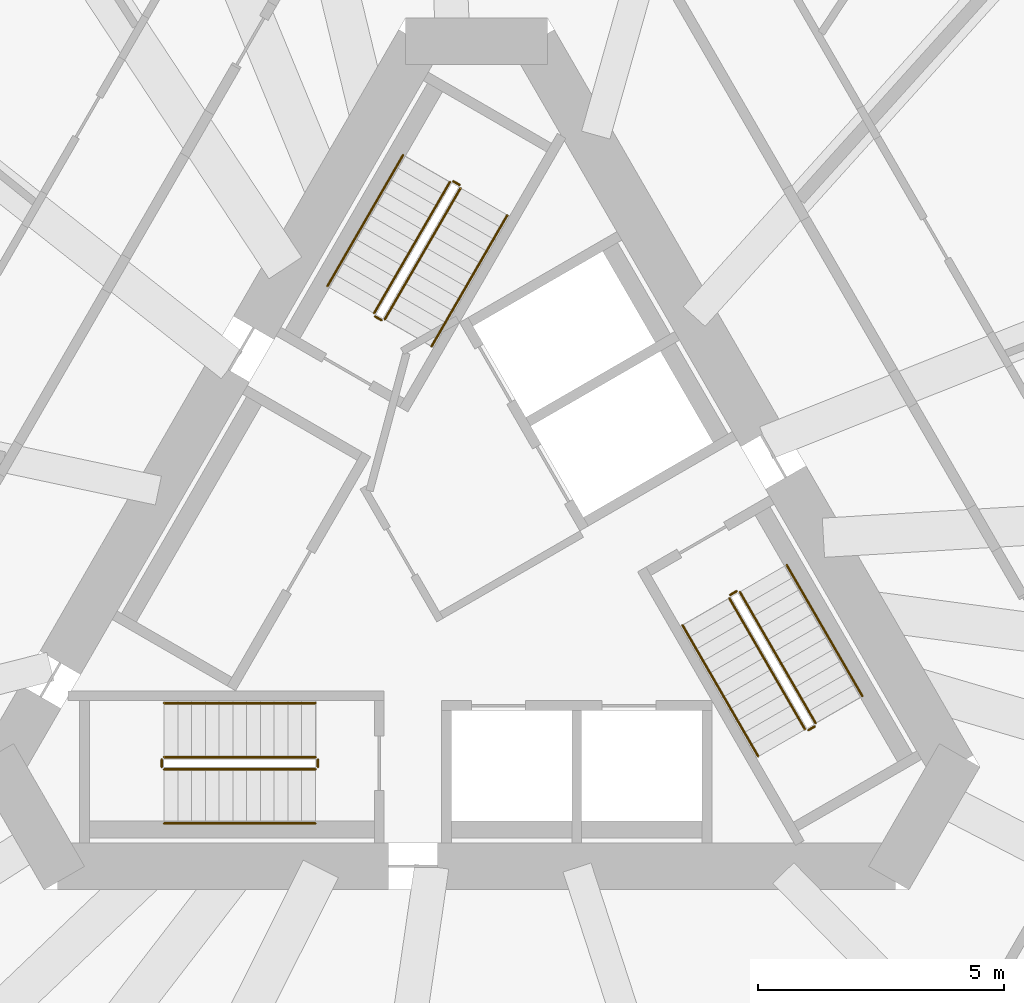
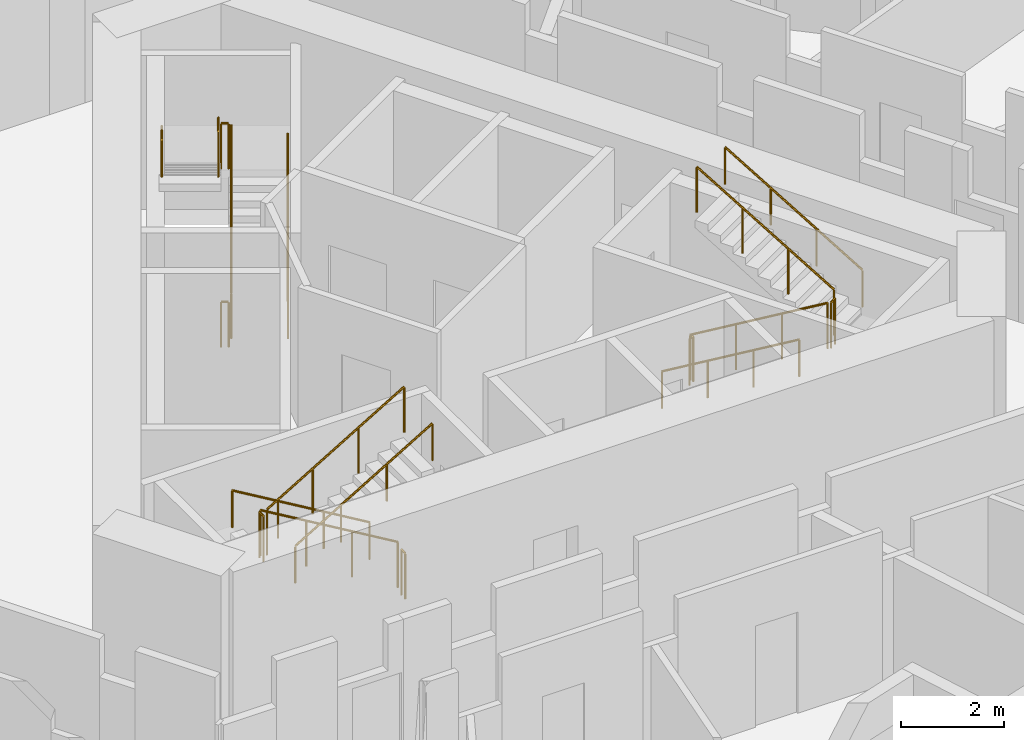
# One storey, part 11 of 12: 18 railings.
"""IFC4 building model written with IfcOpenShell, lengths in metres."""

from ifc_helpers import new_model, si_unit, direction, frame, origin, origin_2d, place, context, subcontext, project, spatial, circle, extrude, material, type_object, element, save


model = new_model("IFC4")

# Units and contexts
model_context = context("Model", 3, precision=1e-05, world=origin(), true_north=direction((0.0, 1.0)))
body_context = subcontext(model_context, "Body", "Model", "MODEL_VIEW")
ifc_project = project(units=[si_unit("LENGTHUNIT", "METRE"), si_unit("AREAUNIT", "SQUARE_METRE"), si_unit("VOLUMEUNIT", "CUBIC_METRE"), si_unit("PLANEANGLEUNIT", "RADIAN"), si_unit("MASSUNIT", "GRAM", prefix="KILO")], contexts=[model_context])

# Site, building, storey
site_placement = place(None, origin())
site = spatial("IfcSite", under=ifc_project, at=site_placement, CompositionType="ELEMENT")
building_placement = place(site_placement, origin())
building = spatial("IfcBuilding", under=site, at=building_placement, Name="Tramontana Tower", CompositionType="ELEMENT")
storey_placement = place(building_placement, frame((0.0, 0.0, 92.39990234375)))
storey = spatial("IfcBuildingStorey", under=building, at=storey_placement, Name="L20", CompositionType="ELEMENT", Elevation=92.39990234375)

# Railings
ifc_material_1 = material(Name="Painted steel", Category="steel")
railing_type_1 = type_object("IfcRailingType", Name="STAIR GUARD 1100", PredefinedType="GUARDRAIL", material=ifc_material_1)
railing_1_placement = place(storey_placement, frame((-1.867431640625, 4.865478515625, 0.166748046875)))
element("IfcRailing", 1, at=railing_1_placement, inside=storey, type_object=railing_type_1, Name="L20 ST1 stair guard 1", PredefinedType="GUARDRAIL", context=body_context, shape_type="SweptSolid", body=[
    extrude(circle(Radius=0.02392578125, at=origin_2d()), frame((0.0, 0.0, 1.076171875), z_axis=(0.429649414936, 0.744189839504, 0.511451721109), x_axis=(-0.866029832698, 0.499992328818, 0.0)), (0.0, 0.0, 1.0), 3.58447265625),
    extrude(circle(Radius=0.02099609375, at=origin_2d()), origin(), (0.0, 0.0, 1.0), 1.052001953125),
    extrude(circle(Radius=0.02099609375, at=origin_2d()), frame((0.513427734375, 0.88916015625, 0.611083984375)), (0.0, 0.0, 1.0), 1.052001953125),
    extrude(circle(Radius=0.02099609375, at=origin_2d()), frame((1.026611328125, 1.7783203125, 1.22216796875)), (0.0, 0.0, 1.0), 1.052001953125),
    extrude(circle(Radius=0.02099609375, at=origin_2d()), frame((1.5400390625, 2.66748046875, 1.833251953125)), (0.0, 0.0, 1.0), 1.052001953125),
])
railing_2_placement = place(storey_placement, frame((-0.5439453125, 7.657958984375, 2.166748046875)))
element("IfcRailing", 2, at=railing_2_placement, inside=storey, type_object=railing_type_1, Name="L20 ST1 stair guard 2", PredefinedType="GUARDRAIL", context=body_context, shape_type="SweptSolid", body=[
    extrude(circle(Radius=0.02392578125, at=origin_2d()), frame((0.0, 0.0, 1.076171875), z_axis=(-0.429649414936, -0.744189839504, 0.511451721109), x_axis=(0.866029832698, -0.499992328818, 0.0)), (0.0, 0.0, 1.0), 3.58447265625),
    extrude(circle(Radius=0.02099609375, at=origin_2d()), origin(), (0.0, 0.0, 1.0), 1.052001953125),
    extrude(circle(Radius=0.02099609375, at=origin_2d()), frame((-0.513427734375, -0.88916015625, 0.611083984375)), (0.0, 0.0, 1.0), 1.052001953125),
    extrude(circle(Radius=0.02099609375, at=origin_2d()), frame((-1.026611328125, -1.7783203125, 1.22216796875)), (0.0, 0.0, 1.0), 1.052001953125),
    extrude(circle(Radius=0.02099609375, at=origin_2d()), frame((-1.5400390625, -2.66748046875, 1.833251953125)), (0.0, 0.0, 1.0), 1.052001953125),
])
railing_3_placement = place(storey_placement, frame((-0.345703125, 7.601318359375, 2.0)))
element("IfcRailing", 3, at=railing_3_placement, inside=storey, type_object=railing_type_1, Name="L20 ST1 stair guard 3", PredefinedType="GUARDRAIL", context=body_context, shape_type="SweptSolid", body=[
    extrude(circle(Radius=0.02392578125, at=origin_2d()), frame((0.0, 0.0, 1.076171875), z_axis=(-0.866131372301, 0.499816412211, 0.0), x_axis=(-0.499816412211, -0.866131372301, 0.0)), (0.0, 0.0, 1.0), 0.14990234375),
    extrude(circle(Radius=0.02099609375, at=origin_2d()), origin(), (0.0, 0.0, 1.0), 1.052001953125),
    extrude(circle(Radius=0.02099609375, at=origin_2d()), frame((-0.1298828125, 0.074951171875, 0.0)), (0.0, 0.0, 1.0), 1.052001953125),
])
railing_4_placement = place(storey_placement, frame((-1.935791015625, 4.84716796875, 0.0)))
element("IfcRailing", 4, at=railing_4_placement, inside=storey, type_object=railing_type_1, Name="L20 ST1 stair guard 4", PredefinedType="GUARDRAIL", context=body_context, shape_type="SweptSolid", body=[
    extrude(circle(Radius=0.02392578125, at=origin_2d()), frame((0.0, 0.0, 1.076171875), z_axis=(-0.865426285481, 0.501036270542, 0.0), x_axis=(-0.501036270542, -0.865426285481, 0.0)), (0.0, 0.0, 1.0), 0.150146484375),
    extrude(circle(Radius=0.02099609375, at=origin_2d()), origin(), (0.0, 0.0, 1.0), 1.052001953125),
    extrude(circle(Radius=0.02099609375, at=origin_2d()), frame((-0.1298828125, 0.0751953125, 0.0)), (0.0, 0.0, 1.0), 1.052001953125),
])
railing_5_placement = place(storey_placement, frame((-3.280029296875, -4.050048828125, 0.166748046875)))
element("IfcRailing", 5, at=railing_5_placement, inside=storey, type_object=railing_type_1, Name="L20 ST2 stair guard 1", PredefinedType="GUARDRAIL", context=body_context, shape_type="SweptSolid", body=[
    extrude(circle(Radius=0.02392578125, at=origin_2d()), frame((0.0, 0.0, 1.076171875), z_axis=(-0.859308565015, 0.0, 0.511457515432), x_axis=(0.0, -1.0, 0.0)), (0.0, 0.0, 1.0), 3.58447265625),
    extrude(circle(Radius=0.02099609375, at=origin_2d()), origin(), (0.0, 0.0, 1.0), 1.052001953125),
    extrude(circle(Radius=0.02099609375, at=origin_2d()), frame((-1.026611328125, 0.0, 0.611083984375)), (0.0, 0.0, 1.0), 1.052001953125),
    extrude(circle(Radius=0.02099609375, at=origin_2d()), frame((-2.053466796875, 0.0, 1.22216796875)), (0.0, 0.0, 1.0), 1.052001953125),
    extrude(circle(Radius=0.02099609375, at=origin_2d()), frame((-3.080078125, 0.0, 1.833251953125)), (0.0, 0.0, 1.0), 1.052001953125),
])
railing_6_placement = place(storey_placement, frame((-6.360107421875, -4.300048828125, 2.166748046875)))
element("IfcRailing", 6, at=railing_6_placement, inside=storey, type_object=railing_type_1, Name="L20 ST2 stair guard 2", PredefinedType="GUARDRAIL", context=body_context, shape_type="SweptSolid", body=[
    extrude(circle(Radius=0.02392578125, at=origin_2d()), frame((0.0, 0.0, 1.076171875), z_axis=(0.859308565015, 0.0, 0.511457515432), x_axis=(0.0, 1.0, 0.0)), (0.0, 0.0, 1.0), 3.58447265625),
    extrude(circle(Radius=0.02099609375, at=origin_2d()), origin(), (0.0, 0.0, 1.0), 1.052001953125),
    extrude(circle(Radius=0.02099609375, at=origin_2d()), frame((1.026611328125, 0.0, 0.611083984375)), (0.0, 0.0, 1.0), 1.052001953125),
    extrude(circle(Radius=0.02099609375, at=origin_2d()), frame((2.053466796875, 0.0, 1.22216796875)), (0.0, 0.0, 1.0), 1.052001953125),
    extrude(circle(Radius=0.02099609375, at=origin_2d()), frame((3.080078125, 0.0, 1.833251953125)), (0.0, 0.0, 1.0), 1.052001953125),
])
for number, where, name in (
    (7, (-6.409912109375, -4.10009765625, 2.0), "L20 ST2 stair guard 3"),
    (8, (-3.22998046875, -4.10009765625, 0.0), "L20 ST2 stair guard 4"),
):
    element("IfcRailing", number, at=place(storey_placement, frame(where)), inside=storey, type_object=railing_type_1, Name=name, PredefinedType="GUARDRAIL", context=body_context, shape_type="SweptSolid", body=[
        extrude(circle(Radius=0.02392578125, at=origin_2d()), frame((0.0, 0.0, 1.076171875), z_axis=(0.0, -1.0, 0.0), x_axis=(1.0, 0.0, 0.0)), (0.0, 0.0, 1.0), 0.14990234375),
        extrude(circle(Radius=0.02099609375, at=origin_2d()), origin(), (0.0, 0.0, 1.0), 1.052001953125),
        extrude(circle(Radius=0.02099609375, at=origin_2d()), frame((0.0, -0.14990234375, 0.0)), (0.0, 0.0, 1.0), 1.052001953125),
    ])
railing_7_placement = place(storey_placement, frame((5.1474609375, -0.815673828125, 0.166748046875)))
element("IfcRailing", 9, at=railing_7_placement, inside=storey, type_object=railing_type_1, Name="L20 ST3 stair guard 1", PredefinedType="GUARDRAIL", context=body_context, shape_type="SweptSolid", body=[
    extrude(circle(Radius=0.02392578125, at=origin_2d()), frame((0.0, 0.0, 1.076171875), z_axis=(0.429671193721, -0.744159446956, 0.511477646425), x_axis=(0.866010015463, 0.500026652407, 0.0)), (0.0, 0.0, 1.0), 3.584228515625),
    extrude(circle(Radius=0.02099609375, at=origin_2d()), origin(), (0.0, 0.0, 1.0), 1.052001953125),
    extrude(circle(Radius=0.02099609375, at=origin_2d()), frame((0.513427734375, -0.88916015625, 0.611083984375)), (0.0, 0.0, 1.0), 1.052001953125),
    extrude(circle(Radius=0.02099609375, at=origin_2d()), frame((1.026611328125, -1.778076171875, 1.22216796875)), (0.0, 0.0, 1.0), 1.052001953125),
    extrude(circle(Radius=0.02099609375, at=origin_2d()), frame((1.5400390625, -2.667236328125, 1.833251953125)), (0.0, 0.0, 1.0), 1.052001953125),
])
railing_8_placement = place(storey_placement, frame((6.90380859375, -3.35791015625, 2.166748046875)))
element("IfcRailing", 10, at=railing_8_placement, inside=storey, type_object=railing_type_1, Name="L20 ST3 stair guard 2", PredefinedType="GUARDRAIL", context=body_context, shape_type="SweptSolid", body=[
    extrude(circle(Radius=0.02392578125, at=origin_2d()), frame((0.0, 0.0, 1.076171875), z_axis=(-0.429615651263, 0.74418122563, 0.511492615401), x_axis=(-0.866044340336, -0.499967199496, 0.0)), (0.0, 0.0, 1.0), 3.584228515625),
    extrude(circle(Radius=0.02099609375, at=origin_2d()), origin(), (0.0, 0.0, 1.0), 1.052001953125),
    extrude(circle(Radius=0.02099609375, at=origin_2d()), frame((-0.51318359375, 0.88916015625, 0.611083984375)), (0.0, 0.0, 1.0), 1.052001953125),
    extrude(circle(Radius=0.02099609375, at=origin_2d()), frame((-1.026611328125, 1.778076171875, 1.22216796875)), (0.0, 0.0, 1.0), 1.052001953125),
    extrude(circle(Radius=0.02099609375, at=origin_2d()), frame((-1.539794921875, 2.667236328125, 1.833251953125)), (0.0, 0.0, 1.0), 1.052001953125),
])
for number, where, name in (
    (11, (6.755615234375, -3.501220703125, 2.0), "L20 ST3 stair guard 3"),
    (12, (5.165771484375, -0.747314453125, 0.0), "L20 ST3 stair guard 4"),
):
    element("IfcRailing", number, at=place(storey_placement, frame(where)), inside=storey, type_object=railing_type_1, Name=name, PredefinedType="GUARDRAIL", context=body_context, shape_type="SweptSolid", body=[
        extrude(circle(Radius=0.02392578125, at=origin_2d()), frame((0.0, 0.0, 1.076171875), z_axis=(0.866131372301, 0.499816412211, 0.0), x_axis=(-0.499816412211, 0.866131372301, 0.0)), (0.0, 0.0, 1.0), 0.14990234375),
        extrude(circle(Radius=0.02099609375, at=origin_2d()), origin(), (0.0, 0.0, 1.0), 1.052001953125),
        extrude(circle(Radius=0.02099609375, at=origin_2d()), frame((0.1298828125, 0.074951171875, 0.0)), (0.0, 0.0, 1.0), 1.052001953125),
    ])
ifc_material_2 = material(Name="Painted steel", Category="steel")
railing_type_2 = type_object("IfcRailingType", Name="STAIR HANDRAIL 900", PredefinedType="HANDRAIL", material=ifc_material_2)
railing_9_placement = place(storey_placement, frame((-0.914794921875, 4.315673828125, 0.166748046875)))
element("IfcRailing", 13, at=railing_9_placement, inside=storey, type_object=railing_type_2, Name="L20 ST1 stair handrail 1", PredefinedType="HANDRAIL", context=body_context, shape_type="SweptSolid", body=[
    extrude(circle(Radius=0.02392578125, at=origin_2d()), frame((0.0, 0.0, 0.8759765625), z_axis=(0.429671193721, 0.744159446956, 0.511477646425), x_axis=(-0.866010015463, 0.500026652407, 0.0)), (0.0, 0.0, 1.0), 3.584228515625),
    extrude(circle(Radius=0.02099609375, at=origin_2d()), origin(), (0.0, 0.0, 1.0), 0.851806640625),
    extrude(circle(Radius=0.02099609375, at=origin_2d()), frame((0.513427734375, 0.88916015625, 0.611083984375)), (0.0, 0.0, 1.0), 0.851806640625),
    extrude(circle(Radius=0.02099609375, at=origin_2d()), frame((1.026611328125, 1.778076171875, 1.22216796875)), (0.0, 0.0, 1.0), 0.851806640625),
    extrude(circle(Radius=0.02099609375, at=origin_2d()), frame((1.5400390625, 2.667236328125, 1.833251953125)), (0.0, 0.0, 1.0), 0.851806640625),
])
railing_10_placement = place(storey_placement, frame((-1.49658203125, 8.2080078125, 2.166748046875)))
element("IfcRailing", 14, at=railing_10_placement, inside=storey, type_object=railing_type_2, Name="L20 ST1 stair handrail 2", PredefinedType="HANDRAIL", context=body_context, shape_type="SweptSolid", body=[
    extrude(circle(Radius=0.02392578125, at=origin_2d()), frame((0.0, 0.0, 0.8759765625), z_axis=(-0.429649414936, -0.744189839504, 0.511451721109), x_axis=(0.866029832698, -0.499992328818, 0.0)), (0.0, 0.0, 1.0), 3.58447265625),
    extrude(circle(Radius=0.02099609375, at=origin_2d()), origin(), (0.0, 0.0, 1.0), 0.851806640625),
    extrude(circle(Radius=0.02099609375, at=origin_2d()), frame((-0.513427734375, -0.88916015625, 0.611083984375)), (0.0, 0.0, 1.0), 0.851806640625),
    extrude(circle(Radius=0.02099609375, at=origin_2d()), frame((-1.026611328125, -1.7783203125, 1.22216796875)), (0.0, 0.0, 1.0), 0.851806640625),
    extrude(circle(Radius=0.02099609375, at=origin_2d()), frame((-1.5400390625, -2.66748046875, 1.833251953125)), (0.0, 0.0, 1.0), 0.851806640625),
])
railing_11_placement = place(storey_placement, frame((-3.280029296875, -2.949951171875, 0.166748046875)))
element("IfcRailing", 15, at=railing_11_placement, inside=storey, type_object=railing_type_2, Name="L20 ST2 stair handrail 1", PredefinedType="HANDRAIL", context=body_context, shape_type="SweptSolid", body=[
    extrude(circle(Radius=0.02392578125, at=origin_2d()), frame((0.0, 0.0, 0.8759765625), z_axis=(-0.859308565015, 0.0, 0.511457515432), x_axis=(0.0, -1.0, 0.0)), (0.0, 0.0, 1.0), 3.58447265625),
    extrude(circle(Radius=0.02099609375, at=origin_2d()), origin(), (0.0, 0.0, 1.0), 0.851806640625),
    extrude(circle(Radius=0.02099609375, at=origin_2d()), frame((-1.026611328125, 0.0, 0.611083984375)), (0.0, 0.0, 1.0), 0.851806640625),
    extrude(circle(Radius=0.02099609375, at=origin_2d()), frame((-2.053466796875, 0.0, 1.22216796875)), (0.0, 0.0, 1.0), 0.851806640625),
    extrude(circle(Radius=0.02099609375, at=origin_2d()), frame((-3.080078125, 0.0, 1.833251953125)), (0.0, 0.0, 1.0), 0.851806640625),
])
railing_12_placement = place(storey_placement, frame((-6.360107421875, -5.39990234375, 2.166748046875)))
element("IfcRailing", 16, at=railing_12_placement, inside=storey, type_object=railing_type_2, Name="L20 ST2 stair handrail 2", PredefinedType="HANDRAIL", context=body_context, shape_type="SweptSolid", body=[
    extrude(circle(Radius=0.02392578125, at=origin_2d()), frame((0.0, 0.0, 0.8759765625), z_axis=(0.859308565015, 0.0, 0.511457515432), x_axis=(0.0, 1.0, 0.0)), (0.0, 0.0, 1.0), 3.58447265625),
    extrude(circle(Radius=0.02099609375, at=origin_2d()), origin(), (0.0, 0.0, 1.0), 0.851806640625),
    extrude(circle(Radius=0.02099609375, at=origin_2d()), frame((1.026611328125, 0.0, 0.611083984375)), (0.0, 0.0, 1.0), 0.851806640625),
    extrude(circle(Radius=0.02099609375, at=origin_2d()), frame((2.053466796875, 0.0, 1.22216796875)), (0.0, 0.0, 1.0), 0.851806640625),
    extrude(circle(Radius=0.02099609375, at=origin_2d()), frame((3.080078125, 0.0, 1.833251953125)), (0.0, 0.0, 1.0), 0.851806640625),
])
railing_13_placement = place(storey_placement, frame((4.19482421875, -1.365478515625, 0.166748046875)))
element("IfcRailing", 17, at=railing_13_placement, inside=storey, type_object=railing_type_2, Name="L20 ST3 stair handrail 1", PredefinedType="HANDRAIL", context=body_context, shape_type="SweptSolid", body=[
    extrude(circle(Radius=0.02392578125, at=origin_2d()), frame((0.0, 0.0, 0.8759765625), z_axis=(0.429649414936, -0.744189839504, 0.511451721109), x_axis=(0.866029832698, 0.499992328818, 0.0)), (0.0, 0.0, 1.0), 3.58447265625),
    extrude(circle(Radius=0.02099609375, at=origin_2d()), origin(), (0.0, 0.0, 1.0), 0.851806640625),
    extrude(circle(Radius=0.02099609375, at=origin_2d()), frame((0.513427734375, -0.88916015625, 0.611083984375)), (0.0, 0.0, 1.0), 0.851806640625),
    extrude(circle(Radius=0.02099609375, at=origin_2d()), frame((1.026611328125, -1.7783203125, 1.22216796875)), (0.0, 0.0, 1.0), 0.851806640625),
    extrude(circle(Radius=0.02099609375, at=origin_2d()), frame((1.5400390625, -2.66748046875, 1.833251953125)), (0.0, 0.0, 1.0), 0.851806640625),
])
railing_14_placement = place(storey_placement, frame((7.8564453125, -2.807861328125, 2.166748046875)))
element("IfcRailing", 18, at=railing_14_placement, inside=storey, type_object=railing_type_2, Name="L20 ST3 stair handrail 2", PredefinedType="HANDRAIL", context=body_context, shape_type="SweptSolid", body=[
    extrude(circle(Radius=0.02392578125, at=origin_2d()), frame((0.0, 0.0, 0.8759765625), z_axis=(-0.429615651263, 0.74418122563, 0.511492615401), x_axis=(-0.866044340336, -0.499967199496, 0.0)), (0.0, 0.0, 1.0), 3.584228515625),
    extrude(circle(Radius=0.02099609375, at=origin_2d()), origin(), (0.0, 0.0, 1.0), 0.851806640625),
    extrude(circle(Radius=0.02099609375, at=origin_2d()), frame((-0.51318359375, 0.88916015625, 0.611083984375)), (0.0, 0.0, 1.0), 0.851806640625),
    extrude(circle(Radius=0.02099609375, at=origin_2d()), frame((-1.026611328125, 1.778076171875, 1.22216796875)), (0.0, 0.0, 1.0), 0.851806640625),
    extrude(circle(Radius=0.02099609375, at=origin_2d()), frame((-1.539794921875, 2.667236328125, 1.833251953125)), (0.0, 0.0, 1.0), 0.851806640625),
])

save(model, "model.ifc")
